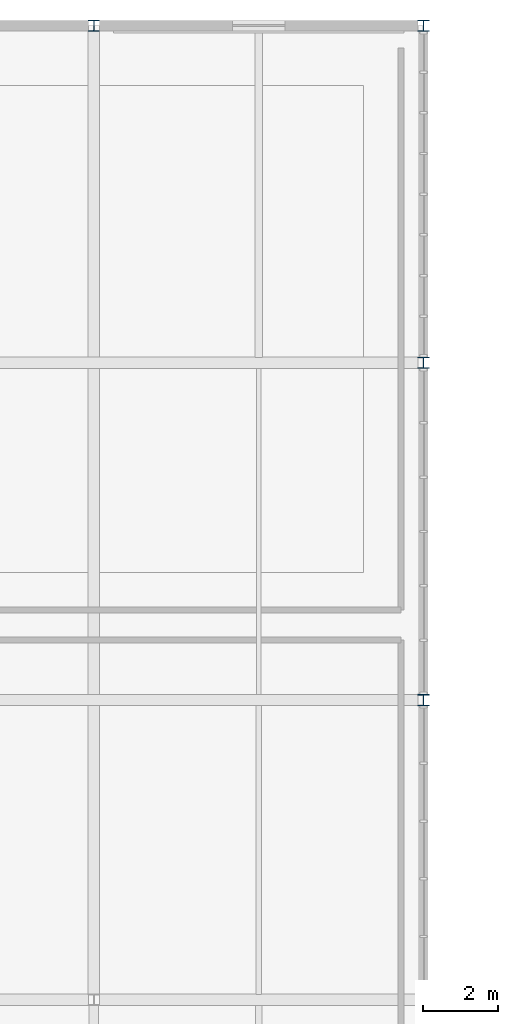
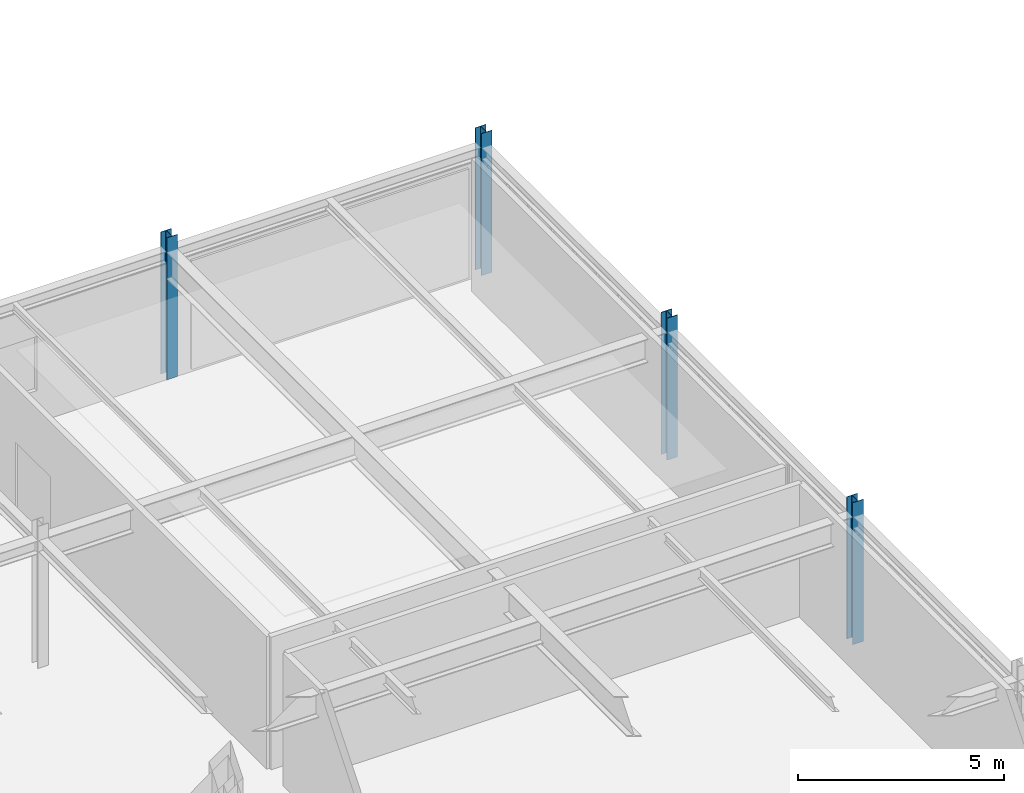
# One storey, part 5 of 64: 4 columns.
"""IFC4 building model written with IfcOpenShell, lengths in metres."""

from ifc_helpers import new_model, si_unit, direction, frame, origin, origin_2d, place, context, subcontext, project, spatial, i_section, extrude, material, material_profile, profile_set, type_object, element, save


model = new_model("IFC4")

# Units and contexts
model_context = context("Model", 3, precision=1e-05, world=origin(), true_north=direction((0.0, 1.0)))
body_context = subcontext(model_context, "Body", "Model", "MODEL_VIEW")
ifc_project = project(units=[si_unit("LENGTHUNIT", "METRE"), si_unit("AREAUNIT", "SQUARE_METRE"), si_unit("VOLUMEUNIT", "CUBIC_METRE"), si_unit("PLANEANGLEUNIT", "RADIAN"), si_unit("MASSUNIT", "GRAM", prefix="KILO")], contexts=[model_context])

# Site, building, storey
site_placement = place(None, origin())
site = spatial("IfcSite", under=ifc_project, at=site_placement, CompositionType="ELEMENT")
building_placement = place(site_placement, origin())
building = spatial("IfcBuilding", under=site, at=building_placement, Name="Zhaolan Boulevard Law Courts", CompositionType="ELEMENT")
storey_placement = place(building_placement, frame((0.0, 0.0, 20.39990234375)))
storey = spatial("IfcBuildingStorey", under=building, at=storey_placement, Name="L04", CompositionType="ELEMENT", Elevation=20.39990234375)

# Columns
ifc_material = material(Name="Structural steel Q355B", Category="steel")
ifc_material_profile = material_profile(ifc_material, i_section(OverallWidth=0.300048828125, OverallDepth=0.300048828125, WebThickness=0.010009765625, FlangeThickness=0.014892578125, FilletRadius=0.01806640625, at=origin_2d()), Name="HW300x300")
ifc_profile_set = profile_set([ifc_material_profile], Name="Structural steel Q355B")
column_type = type_object("IfcColumnType", Name="COL HW300", PredefinedType="COLUMN", material=ifc_profile_set)
for number, where, z_axis, x_axis, name in (
    (1, (35.199951171875, 112.0, 0.0), (0.0, 0.0, 1.0), (1.0, 0.0, 0.0), "Column C-5Q (L04)"),
    (2, (44.0, 94.0, 0.0), (0.0, 0.0, 1.0), (1.0, 0.0, 0.0), "Column C-6N (L04)"),
    (3, (44.0, 103.0, 0.0), (0.0, 0.0, 1.0), (1.0, 0.0, 0.0), "Column C-6P (L04)"),
    (4, (44.0, 112.0, 0.0), (0.0, 0.0, 1.0), (1.0, 0.0, 0.0), "Column C-6Q (L04)"),
):
    element("IfcColumn", number, at=place(storey_placement, frame(where, z_axis=z_axis, x_axis=x_axis)), inside=storey, type_object=column_type, Name=name, PredefinedType="COLUMN", context=body_context, shape_type="SweptSolid", body=[
        extrude(i_section(OverallWidth=0.300048828125, OverallDepth=0.300048828125, WebThickness=0.010009765625, FlangeThickness=0.014892578125, FilletRadius=0.01806640625, at=origin_2d()), origin(), (0.0, 0.0, 1.0), 4.2001953125),
    ])

save(model, "model.ifc")
